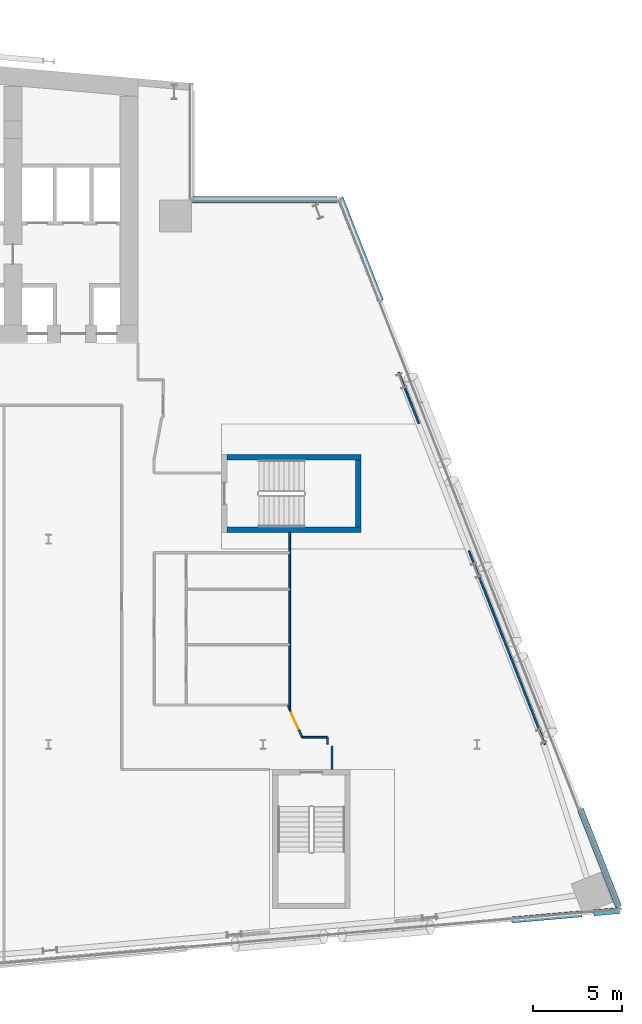
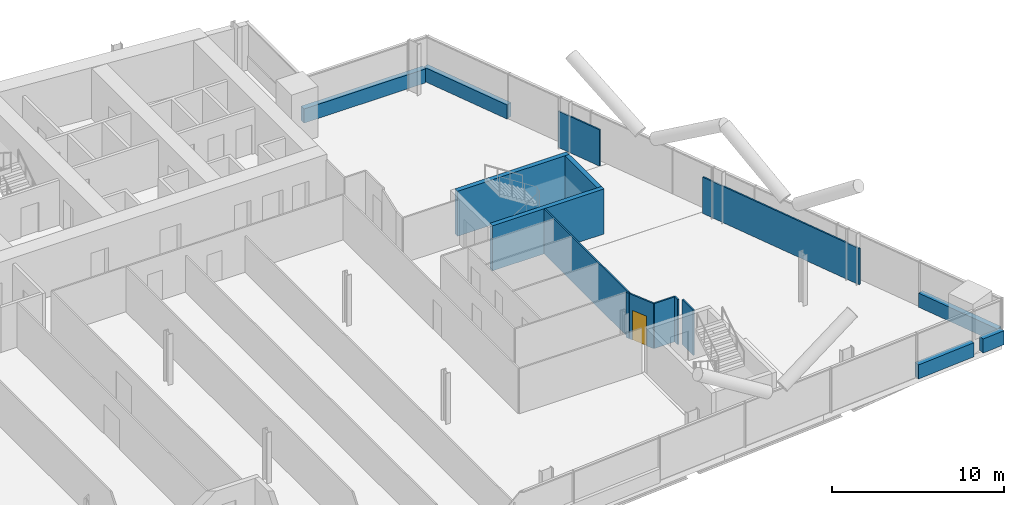
# One storey, part 18 of 26: 16 walls, 1 door, 1 opening.
"""IFC4 building model written with IfcOpenShell, lengths in metres."""

from ifc_helpers import new_model, si_unit, direction, frame, frame_2d, origin, place, context, subcontext, project, spatial, rectangle, extrude, material, layer, layer_set, type_object, element, fill, save


model = new_model("IFC4")

# Units and contexts
model_context = context("Model", 3, precision=1e-05, world=origin(), true_north=direction((0.0, 1.0)))
body_context = subcontext(model_context, "Body", "Model", "MODEL_VIEW")
ifc_project = project(units=[si_unit("LENGTHUNIT", "METRE"), si_unit("AREAUNIT", "SQUARE_METRE"), si_unit("VOLUMEUNIT", "CUBIC_METRE"), si_unit("PLANEANGLEUNIT", "RADIAN"), si_unit("MASSUNIT", "GRAM", prefix="KILO")], contexts=[model_context])

# Site, building, storey
site_placement = place(None, origin())
site = spatial("IfcSite", under=ifc_project, at=site_placement, CompositionType="ELEMENT")
building_placement = place(site_placement, origin())
building = spatial("IfcBuilding", under=site, at=building_placement, Name="Wharfspan Tower", CompositionType="ELEMENT")
storey_placement = place(building_placement, frame((0.0, 0.0, 125.5)))
storey = spatial("IfcBuildingStorey", under=building, at=storey_placement, Name="L29", CompositionType="ELEMENT", Elevation=125.5)

# Walls
ifc_material_1 = material(Name="Gypsum board on steel studs", Category="steel")
ifc_layer_1 = layer(ifc_material_1, 0.100098)
ifc_layer_set_1 = layer_set([ifc_layer_1], Name="Gypsum board on steel studs")
wall_type_1 = type_object("IfcWallType", Name="Compartment wall 100 EI 60", PredefinedType="PARTITIONING", material=ifc_layer_set_1)
wall_1_placement = place(storey_placement, frame((73.48999, 13.47998, 0.0), z_axis=(0.0, 0.0, 1.0), x_axis=(-0.419275, 0.907861, 0.0)))
element("IfcWall", 1, at=wall_1_placement, inside=storey, type_object=wall_type_1, Name="Partition L29.w034", PredefinedType="PARTITIONING", context=body_context, shape_type="SweptSolid", body=[
    extrude(rectangle(XDim=0.214844, YDim=0.100098, at=frame_2d((0.107422, 0.0))), origin(), (0.0, 0.0, 1.0), 3.199951),
])
wall_2_placement = place(storey_placement, frame((73.5, 13.47998, 0.0), z_axis=(0.0, 0.0, 1.0), x_axis=(0.0, 1.0, 0.0)))
element("IfcWall", 2, at=wall_2_placement, inside=storey, type_object=wall_type_1, Name="Partition L29.w035", PredefinedType="PARTITIONING", context=body_context, shape_type="SweptSolid", body=[
    extrude(rectangle(XDim=9.89502, YDim=0.100098, at=frame_2d((4.94751, 0.0))), origin(), (0.0, 0.0, 1.0), 3.199951),
])

# Wall, opening, door
wall_3_placement = place(storey_placement, frame((74.199951, 11.89502, 0.0), z_axis=(0.0, 0.0, 1.0), x_axis=(-0.409356, 0.912377, 0.0)))
wall_3 = element("IfcWall", 3, at=wall_3_placement, inside=storey, type_object=wall_type_1, Name="Partition L29.w036", PredefinedType="PARTITIONING", context=body_context, shape_type="SweptSolid", body=[
    extrude(rectangle(XDim=1.709961, YDim=0.100098, at=frame_2d((0.85498, 0.0))), origin(), (0.0, 0.0, 1.0), 3.199951),
])
opening_placement = place(wall_3_placement, frame((0.5, 0.0, 0.0)))
opening = element("IfcOpeningElement", 4, at=opening_placement, cuts=wall_3, Name="Opening B4-01", PredefinedType="OPENING", context=body_context, shape_type="SweptSolid", body=[
    extrude(rectangle(XDim=1.0, YDim=2.100098, at=frame_2d((0.5, 1.050049))), frame((0.0, 0.060059, 0.0), z_axis=(0.0, -1.0, 0.0), x_axis=(1.0, 0.0, 0.0)), (0.0, 0.0, 1.0), 0.120117),
])
ifc_material_2 = material(Name="Fire-rated timber door leaf in steel frame", Category="steel")
door_type = type_object("IfcDoorType", Name="Door 1000 FD30S Right", OperationType="SINGLE_SWING_RIGHT", PredefinedType="DOOR", material=ifc_material_2)
door_placement = place(opening_placement, origin())
door = element("IfcDoor", 5, at=door_placement, inside=storey, type_object=door_type, Name="Door B4-01", OperationType="SINGLE_SWING_RIGHT", OverallHeight=2.100098, OverallWidth=1.0, PredefinedType="DOOR", context=body_context, shape_type="SweptSolid", body=[
    extrude(rectangle(XDim=1.0, YDim=2.100098, at=frame_2d((0.5, 1.050049))), frame((0.0, 0.024902, 0.0), z_axis=(0.0, -1.0, 0.0), x_axis=(1.0, 0.0, 0.0)), (0.0, 0.0, 1.0), 0.050049),
])
fill(opening, door)

# Walls
wall_4_placement = place(storey_placement, frame((74.199951, 11.89502, 0.0), z_axis=(0.0, 0.0, 1.0), x_axis=(1.0, 0.0, 0.0)))
element("IfcWall", 6, at=wall_4_placement, inside=storey, type_object=wall_type_1, Name="Partition L29.w037", PredefinedType="PARTITIONING", context=body_context, shape_type="SweptSolid", body=[
    extrude(rectangle(XDim=1.415039, YDim=0.100098, at=frame_2d((0.70752, 0.0))), origin(), (0.0, 0.0, 1.0), 3.199951),
])
wall_5_placement = place(storey_placement, frame((75.61499, 11.514893, 0.0), z_axis=(0.0, 0.0, 1.0), x_axis=(0.0, 1.0, 0.0)))
element("IfcWall", 7, at=wall_5_placement, inside=storey, type_object=wall_type_1, Name="Partition L29.w038", PredefinedType="PARTITIONING", context=body_context, shape_type="SweptSolid", body=[
    extrude(rectangle(XDim=0.380127, YDim=0.100098, at=frame_2d((0.189941, 0.0))), origin(), (0.0, 0.0, 1.0), 3.199951),
])
wall_6_placement = place(storey_placement, frame((75.86499, 10.114746, 0.0), z_axis=(0.0, 0.0, 1.0), x_axis=(0.0, 1.0, 0.0)))
element("IfcWall", 8, at=wall_6_placement, inside=storey, type_object=wall_type_1, Name="Partition L29.w039", PredefinedType="PARTITIONING", context=body_context, shape_type="SweptSolid", body=[
    extrude(rectangle(XDim=1.280273, YDim=0.100098, at=frame_2d((0.640137, 0.0))), origin(), (0.0, 0.0, 1.0), 3.199951),
])
ifc_layer_2 = layer(ifc_material_1, 0.100098)
ifc_layer_set_2 = layer_set([ifc_layer_2], Name="Gypsum board on steel studs")
wall_type_2 = type_object("IfcWallType", Name="Partition 100", PredefinedType="PARTITIONING", material=ifc_layer_set_2)
wall_7_placement = place(storey_placement, frame((80.737061, 29.469971, 0.0), z_axis=(0.0, 0.0, 1.0), x_axis=(-0.366592, 0.930378, 0.0)))
element("IfcWall", 9, at=wall_7_placement, inside=storey, type_object=wall_type_2, Name="Partition L29.w041", PredefinedType="PARTITIONING", context=body_context, shape_type="SweptSolid", body=[
    extrude(rectangle(XDim=3.074219, YDim=0.100098, at=frame_2d((1.537109, 0.0))), origin(), (0.0, 0.0, 1.0), 2.580078),
])
wall_8_placement = place(storey_placement, frame((87.800049, 11.5, 0.0), z_axis=(0.0, 0.0, 1.0), x_axis=(-0.365866, 0.930668, 0.0)))
element("IfcWall", 10, at=wall_8_placement, inside=storey, type_object=wall_type_2, Name="Partition L29.w042", PredefinedType="PARTITIONING", context=body_context, shape_type="SweptSolid", body=[
    extrude(rectangle(XDim=11.640381, YDim=0.100098, at=frame_2d((5.820312, 0.0))), origin(), (0.0, 0.0, 1.0), 2.580078),
])
ifc_material_3 = material(Name="Concrete C40/50", Category="concrete")
ifc_layer_3 = layer(ifc_material_3, 0.350098)
ifc_layer_set_3 = layer_set([ifc_layer_3], Name="Concrete C40/50")
wall_type_3 = type_object("IfcWallType", Name="SPANDREL EXPOSED CONCRETE 350", PredefinedType="SOLIDWALL", material=ifc_layer_set_3)
wall_9_placement = place(storey_placement, frame((85.958984, 1.666504, 0.0), z_axis=(0.0, 0.0, 1.0), x_axis=(0.996194, 0.087167, 0.0)))
element("IfcWall", 11, at=wall_9_placement, inside=storey, type_object=wall_type_3, Name="Spandrel upstand L29 S2 2", PredefinedType="SOLIDWALL", context=body_context, shape_type="SweptSolid", body=[
    extrude(rectangle(XDim=3.921143, YDim=0.350098, at=frame_2d((1.960449, 0.0))), origin(), (0.0, 0.0, 1.0), 1.0),
])
wall_10_placement = place(storey_placement, frame((90.5271, 2.066162, 0.0), z_axis=(0.0, 0.0, 1.0), x_axis=(0.996198, 0.087157, 0.0)))
element("IfcWall", 12, at=wall_10_placement, inside=storey, type_object=wall_type_3, Name="Spandrel upstand L29 S2 3", PredefinedType="SOLIDWALL", context=body_context, shape_type="SweptSolid", body=[
    extrude(rectangle(XDim=1.479004, YDim=0.350098, at=frame_2d((0.739502, 0.0))), origin(), (0.0, 0.0, 1.0), 1.0),
])
wall_11_placement = place(storey_placement, frame((91.921387, 2.413574, 0.0), z_axis=(0.0, 0.0, 1.0), x_axis=(-0.36578, 0.930701, 0.0)))
element("IfcWall", 13, at=wall_11_placement, inside=storey, type_object=wall_type_3, Name="Spandrel upstand L29 E 1", PredefinedType="SOLIDWALL", context=body_context, shape_type="SweptSolid", body=[
    extrude(rectangle(XDim=5.851562, YDim=0.350098, at=frame_2d((2.925781, 0.0))), origin(), (0.0, 0.0, 1.0), 1.0),
])
wall_12_placement = place(storey_placement, frame((78.586426, 36.343994, 0.0), z_axis=(0.0, 0.0, 1.0), x_axis=(-0.365792, 0.930699, 0.0)))
element("IfcWall", 14, at=wall_12_placement, inside=storey, type_object=wall_type_3, Name="Spandrel upstand L29 E 2", PredefinedType="SOLIDWALL", context=body_context, shape_type="SweptSolid", body=[
    extrude(rectangle(XDim=6.20166, YDim=0.350098, at=frame_2d((3.10083, 0.0))), origin(), (0.0, 0.0, 1.0), 1.0),
])
wall_13_placement = place(storey_placement, frame((76.155029, 42.004883, 0.0), z_axis=(0.0, 0.0, 1.0), x_axis=(-1.0, 0.0, 0.0)))
element("IfcWall", 15, at=wall_13_placement, inside=storey, type_object=wall_type_3, Name="Spandrel upstand L29 NRE-H", PredefinedType="SOLIDWALL", context=body_context, shape_type="SweptSolid", body=[
    extrude(rectangle(XDim=8.155029, YDim=0.350098, at=frame_2d((4.077637, 0.0))), origin(), (0.0, 0.0, 1.0), 1.0),
])
ifc_layer_4 = layer(ifc_material_3, 0.300049)
ifc_layer_set_4 = layer_set([ifc_layer_4], Name="Concrete C40/50")
wall_type_4 = type_object("IfcWallType", Name="Stair core wall 300", PredefinedType="SHEAR", material=ifc_layer_set_4)
for number, where, z_axis, x_axis, name in (
    (16, (69.990479, 23.524902, 0.0), (0.0, 0.0, 1.0), (1.0, 0.0, 0.0), "ST6 stair enclosure wall L29"),
    (17, (69.990479, 27.574951, 0.0), (0.0, 0.0, 1.0), (1.0, 0.0, 0.0), "ST6 stair enclosure wall L29"),
):
    element("IfcWall", number, at=place(storey_placement, frame(where, z_axis=z_axis, x_axis=x_axis)), inside=storey, type_object=wall_type_4, Name=name, PredefinedType="SHEAR", context=body_context, shape_type="SweptSolid", body=[
        extrude(rectangle(XDim=7.5, YDim=0.300049, at=frame_2d((3.75, 0.0))), origin(), (0.0, 0.0, 1.0), 3.199951),
    ])
wall_14_placement = place(storey_placement, frame((77.340332, 23.675049, 0.0), z_axis=(0.0, 0.0, 1.0), x_axis=(0.0, 1.0, 0.0)))
element("IfcWall", 18, at=wall_14_placement, inside=storey, type_object=wall_type_4, Name="ST6 stair enclosure wall L29", PredefinedType="SHEAR", context=body_context, shape_type="SweptSolid", body=[
    extrude(rectangle(XDim=3.75, YDim=0.300049, at=frame_2d((1.875, 0.0))), origin(), (0.0, 0.0, 1.0), 3.199951),
])

save(model, "model.ifc")
